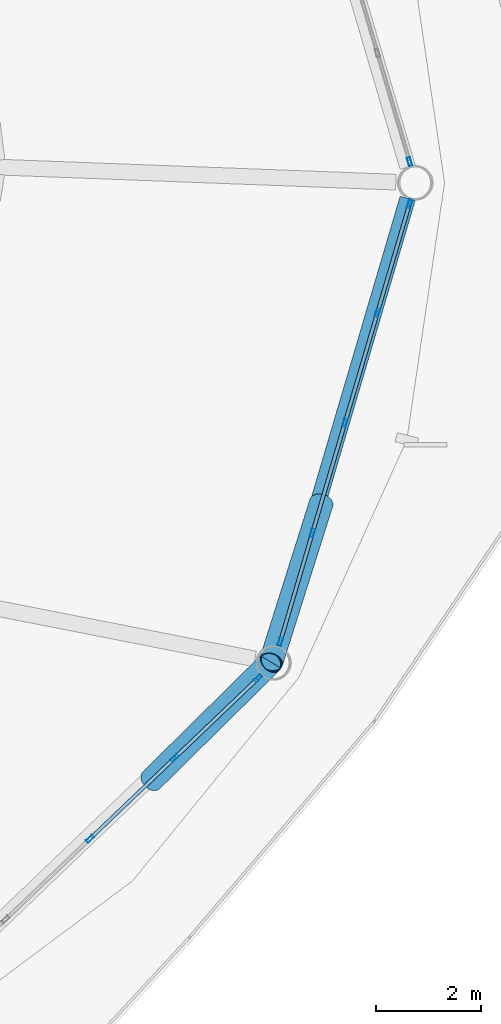
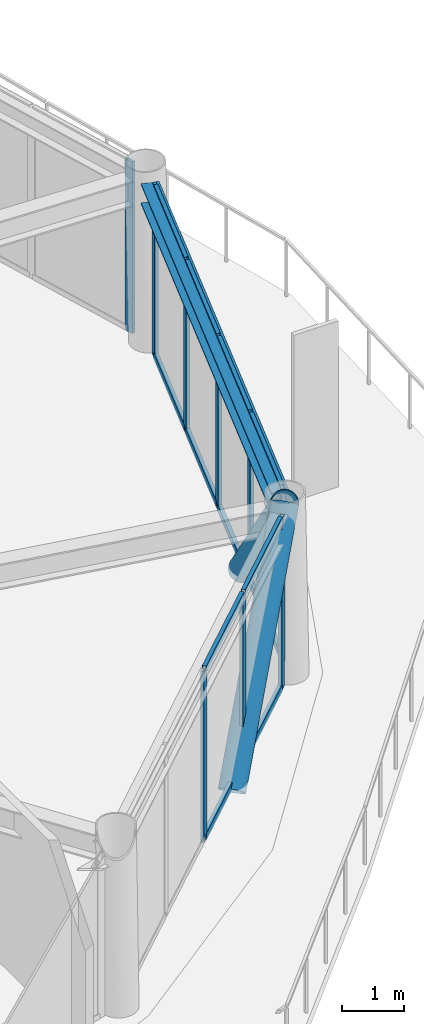
# One storey, part 16 of 28: 23 members, 1 beam, 3 elements without a shape of their own.
"""IFC4 building model written with IfcOpenShell, lengths in metres."""

import ifcopenshell
import ifcopenshell.guid

model = None  # the IFC model being written
_history = None  # IfcOwnerHistory: only IFC2X3 demands one
_inside = {}  # id of a spatial element -> (the spatial element, [elements in it])
_under = {}  # id of a project, library or spatial element -> (it, [spatial elements below it])
_declared = {}  # id of a project -> (the project, [libraries it declares])
_typed = {}  # id of a type object -> (the type object, [elements of that type])
_made_of = {}  # id of a material, layer set ... -> (it, [elements and type objects made of it])


def new_model(schema):
    """Start an empty IFC model of exactly this schema.

    Asked for "IFC4X3", IfcOpenShell would pick the latest addendum, in which some entities
    have other attributes; the version numbers below select the first issue.
    IFC2X3 requires an IfcOwnerHistory on every rooted entity: one is made here for all.
    """
    global model, _history
    if schema == "IFC4X3":
        model = ifcopenshell.file(schema_version=(4, 3, 0, 0))
    else:
        model = ifcopenshell.file(schema=schema)
    _inside.clear()
    _under.clear()
    _declared.clear()
    _typed.clear()
    _made_of.clear()
    _history = None
    if model.schema == "IFC2X3":
        org = make("IfcOrganization", Name="unknown")
        user = make(
            "IfcPersonAndOrganization",
            ThePerson=make("IfcPerson", FamilyName="unknown"),
            TheOrganization=org,
        )
        app = make(
            "IfcApplication",
            ApplicationDeveloper=org,
            Version="unknown",
            ApplicationFullName="unknown",
            ApplicationIdentifier="unknown",
        )
        _history = make(
            "IfcOwnerHistory",
            OwningUser=user,
            OwningApplication=app,
            ChangeAction="ADDED",
            CreationDate=0,
        )
    return model


def make(cls, **values):
    """One entity of the class cls with the attributes given. An attribute that is None is left unset."""
    return model.create_entity(
        cls, **{name: value for name, value in values.items() if value is not None}
    )


def rooted(cls, **values):
    """An entity with a GlobalId (a new one), such as an element, a storey or a relation."""
    return make(cls, GlobalId=ifcopenshell.guid.new(), OwnerHistory=_history, **values)


def si_unit(unit_type, name, prefix=None):
    """IfcSIUnit, for example si_unit("LENGTHUNIT", "METRE", prefix="MILLI")."""
    return make("IfcSIUnit", UnitType=unit_type, Prefix=prefix, Name=name)


def assignment(units):
    """IfcUnitAssignment: the units of a project."""
    return None if units is None else make("IfcUnitAssignment", Units=units)


def point(xyz):
    """IfcCartesianPoint."""
    return None if xyz is None else make("IfcCartesianPoint", Coordinates=xyz)


def direction(xyz):
    """IfcDirection."""
    return None if xyz is None else make("IfcDirection", DirectionRatios=xyz)


def frame(location, z_axis=None, x_axis=None):
    """IfcAxis2Placement3D, a coordinate frame: its origin and axes. An axis left out is left unset."""
    return make(
        "IfcAxis2Placement3D",
        Location=point(location),
        Axis=direction(z_axis),
        RefDirection=direction(x_axis),
    )


def frame_2d(location, x_axis=None):
    """IfcAxis2Placement2D, a coordinate frame in the plane: its origin and x axis."""
    return make(
        "IfcAxis2Placement2D", Location=point(location), RefDirection=direction(x_axis)
    )


def origin():
    """The frame at (0, 0, 0) with its axes left unset."""
    return frame((0.0, 0.0, 0.0))


def origin_2d():
    """The frame at (0, 0) in the plane with its x axis left unset."""
    return frame_2d((0.0, 0.0))


def place(relative_to, where):
    """IfcLocalPlacement: puts the frame where relative to a parent placement (None: the world)."""
    return make(
        "IfcLocalPlacement", PlacementRelTo=relative_to, RelativePlacement=where
    )


def context(
    kind, dimensions, precision=None, world=None, true_north=None, identifier=None
):
    """IfcGeometricRepresentationContext, for example the 3D "Model" context."""
    return make(
        "IfcGeometricRepresentationContext",
        ContextIdentifier=identifier,
        ContextType=kind,
        CoordinateSpaceDimension=dimensions,
        Precision=precision,
        WorldCoordinateSystem=world,
        TrueNorth=true_north,
    )


def subcontext(parent, identifier, kind, view, scale=None):
    """IfcGeometricRepresentationSubContext, for example "Body" below "Model"."""
    return make(
        "IfcGeometricRepresentationSubContext",
        ContextIdentifier=identifier,
        ContextType=kind,
        ParentContext=parent,
        TargetScale=scale,
        TargetView=view,
    )


def project(units=None, contexts=None):
    """IfcProject with its units and contexts."""
    return rooted(
        "IfcProject",
        Name="project",
        RepresentationContexts=contexts,
        UnitsInContext=assignment(units),
    )


def spatial(cls, under=None, at=None, **own):
    """A site, building, storey or space (cls), placed at a placement, below another one or the project."""
    s = rooted(cls, ObjectPlacement=at, **own)
    if under is not None:
        _under.setdefault(under.id(), (under, []))[1].append(s)
    return s


def profile(cls, at=None, kind="AREA", **sizes):
    """A parametric profile (cls). Its sizes go by their IFC names, for example OverallWidth=200.0."""
    return make(cls, ProfileType=kind, Position=at, **sizes)


def hollow_rectangle(**sizes):
    """IfcRectangleHollowProfileDef."""
    return profile("IfcRectangleHollowProfileDef", **sizes)


def hollow_circle(**sizes):
    """IfcCircleHollowProfileDef."""
    return profile("IfcCircleHollowProfileDef", **sizes)


def i_section(**sizes):
    """IfcIShapeProfileDef."""
    return profile("IfcIShapeProfileDef", **sizes)


def extrude(swept, where, along, depth):
    """IfcExtrudedAreaSolid: the profile swept, set in the frame where, extruded along a direction by depth."""
    return make(
        "IfcExtrudedAreaSolid",
        SweptArea=swept,
        Position=where,
        ExtrudedDirection=direction(along),
        Depth=depth,
    )


def shape(context_of_items, identifier, shape_type, items):
    """IfcShapeRepresentation: the items that make up one representation, for example the "Body"."""
    return make(
        "IfcShapeRepresentation",
        ContextOfItems=context_of_items,
        RepresentationIdentifier=identifier,
        RepresentationType=shape_type,
        Items=items,
    )


def material(Name=None, Category=None):
    """IfcMaterial."""
    return make("IfcMaterial", Name=Name, Category=Category)


def layer(
    of_material, thickness, ventilated=None, Name=None, Category=None, Priority=None
):
    """IfcMaterialLayer: one layer of a wall or slab, of a material (None: an air gap)."""
    return make(
        "IfcMaterialLayer",
        Material=of_material,
        LayerThickness=thickness,
        IsVentilated=ventilated,
        Name=Name,
        Category=Category,
        Priority=Priority,
    )


def layer_set(layers, Name=None):
    """IfcMaterialLayerSet."""
    return make("IfcMaterialLayerSet", MaterialLayers=layers, LayerSetName=Name)


def material_profile(
    of_material, cross_section, Name=None, Category=None, Priority=None
):
    """IfcMaterialProfile: a cross section and its material."""
    return make(
        "IfcMaterialProfile",
        Name=Name,
        Material=of_material,
        Profile=cross_section,
        Priority=Priority,
        Category=Category,
    )


def profile_set(profiles, Name=None, composite=None):
    """IfcMaterialProfileSet."""
    return make(
        "IfcMaterialProfileSet",
        Name=Name,
        MaterialProfiles=profiles,
        CompositeProfile=composite,
    )


def made_of(thing, what):
    """Note that an element or type object is made of a material, layer set ...; save() writes the relation."""
    if what is not None:
        _made_of.setdefault(what.id(), (what, []))[1].append(thing)
    return thing


def type_object(cls, material=None, **own):
    """A type object (cls), such as IfcWallType, which elements share."""
    return made_of(rooted(cls, **own), material)


def element(
    cls,
    number,
    at=None,
    inside=None,
    cuts=None,
    type_object=None,
    material=None,
    context=None,
    identifier="Body",
    shape_type=None,
    held_by="IfcProductDefinitionShape",
    body=None,
    shapes=None,
    **own,
):
    """One element of the class cls, such as IfcWall. Its Tag is "e" and its number.

    at: its placement. inside: the storey or other place that contains it. cuts: it is an
    opening in that element (IfcRelVoidsElement). A single representation is given by context,
    identifier, shape_type and body (its items); several are given by shapes. held_by: the class
    of the entity that holds the representations. save() writes the other relations.
    """
    e = rooted(cls, Tag="e%d" % number, ObjectPlacement=at, **own)
    if body is not None:
        shapes = [shape(context, identifier, shape_type, body)]
    if shapes is not None:
        e.Representation = make(held_by, Representations=shapes)
    if inside is not None:
        _inside.setdefault(inside.id(), (inside, []))[1].append(e)
    if cuts is not None:
        rooted(
            "IfcRelVoidsElement", RelatingBuildingElement=cuts, RelatedOpeningElement=e
        )
    if type_object is not None:
        _typed.setdefault(type_object.id(), (type_object, []))[1].append(e)
    return made_of(e, material)


def aggregate(whole, parts):
    """IfcRelAggregates: a whole, such as a stair, and the parts it consists of."""
    return rooted("IfcRelAggregates", RelatingObject=whole, RelatedObjects=parts)


def save(model, path):
    """Write the relations noted so far, then the file.

    IfcRelAggregates (storeys below a building ...), IfcRelContainedInSpatialStructure (elements
    in a storey), IfcRelDefinesByType, IfcRelAssociatesMaterial and IfcRelDeclares: one each for
    every whole, place, type object, material and project.
    """
    for whole, parts in _under.values():
        aggregate(whole, parts)
    for where, things in _inside.values():
        rooted(
            "IfcRelContainedInSpatialStructure",
            RelatedElements=things,
            RelatingStructure=where,
        )
    for kind, things in _typed.values():
        rooted("IfcRelDefinesByType", RelatedObjects=things, RelatingType=kind)
    for what, things in _made_of.values():
        rooted("IfcRelAssociatesMaterial", RelatedObjects=things, RelatingMaterial=what)
    for by, libraries in _declared.values():
        rooted("IfcRelDeclares", RelatingContext=by, RelatedDefinitions=libraries)
    model.write(path)


model = new_model("IFC4")

# Units and contexts
model_context = context("Model", 3, precision=1e-05, world=origin(), true_north=direction((0.0, 1.0)))
body_context = subcontext(model_context, "Body", "Model", "MODEL_VIEW")
ifc_project = project(units=[si_unit("LENGTHUNIT", "METRE"), si_unit("AREAUNIT", "SQUARE_METRE"), si_unit("VOLUMEUNIT", "CUBIC_METRE"), si_unit("PLANEANGLEUNIT", "RADIAN"), si_unit("MASSUNIT", "GRAM", prefix="KILO")], contexts=[model_context])

# Site, building, storey
site_placement = place(None, origin())
site = spatial("IfcSite", under=ifc_project, at=site_placement, CompositionType="ELEMENT")
building_placement = place(site_placement, origin())
building = spatial("IfcBuilding", under=site, at=building_placement, Name="Varnakorn Sky Granary", CompositionType="ELEMENT")
storey_placement = place(building_placement, frame((0.0, 0.0, 200.39990234375)))
storey = spatial("IfcBuildingStorey", under=building, at=storey_placement, Name="L50", CompositionType="ELEMENT", Elevation=200.39990234375)

# Beam
ifc_material_1 = material(Name="Steel S355JR", Category="steel")
ifc_material_profile_1 = material_profile(ifc_material_1, i_section(OverallWidth=0.300048828125, OverallDepth=0.39990234375, WebThickness=0.013427734375, FlangeThickness=0.02392578125, at=origin_2d()), Name="HE 400 B")
ifc_profile_set_1 = profile_set([ifc_material_profile_1], Name="Steel S355JR")
beam_type = type_object("IfcBeamType", Name="BM-SPD-Z4", PredefinedType="SPANDREL", material=ifc_profile_set_1)
beam_placement = place(storey_placement, frame((21.54345703125, -8.869873046875, 3.16015625), z_axis=(0.282725631314, 0.959200822246, 0.0), x_axis=(-0.959200822246, 0.282725631314, 0.0)))
element("IfcBeam", 1, at=beam_placement, inside=storey, type_object=beam_type, Name="Perimeter Spandrel Ring Beam RB12 L50", PredefinedType="SPANDREL", context=body_context, shape_type="SweptSolid", body=[
    extrude(i_section(OverallWidth=0.300048828125, OverallDepth=0.39990234375, WebThickness=0.013427734375, FlangeThickness=0.02392578125, at=origin_2d()), origin(), (0.0, 0.0, 1.0), 8.932373046875),
])

# Curtain wall, member
ifc_material_2 = material(Name="Anodised Bronze Aluminium Alloy 6063-T6", Category="aluminium")
ifc_layer = layer(ifc_material_2, 0.169921875, Name="Anodised Bronze Aluminium Alloy 6063-T6")
ifc_layer_set = layer_set([ifc_layer], Name="Anodised Bronze Aluminium Alloy 6063-T6")
curtain_wall_type = type_object("IfcCurtainWallType", Name="CW-LAB-1", PredefinedType="USERDEFINED", material=ifc_layer_set)
curtain_wall_1_placement = place(storey_placement, origin())
curtain_wall_1 = element("IfcCurtainWall", 2, at=curtain_wall_1_placement, inside=storey, type_object=curtain_wall_type, Name="Unitised Curtain Wall CW5 CW-L50-B01", ObjectType="CURTAIN WALL", PredefinedType="USERDEFINED")
ifc_material_profile_2 = material_profile(ifc_material_2, hollow_rectangle(XDim=0.06494140625, YDim=0.159912109375, WallThickness=0.00341796875, at=origin_2d()), Name="ALU MULL 65x160")
ifc_profile_set_2 = profile_set([ifc_material_profile_2], Name="Anodised Bronze Aluminium Alloy 6063-T6")
member_type_1 = type_object("IfcMemberType", Name="CW-LAB-1-MULL", PredefinedType="MULLION", material=ifc_profile_set_2)
member_1_placement = place(storey_placement, frame((24.1064453125, 0.4052734375, 0.0), z_axis=(0.0, 0.0, 1.0), x_axis=(0.959077331245, 0.283144261272, 0.0)))
member_1 = element("IfcMember", 3, at=member_1_placement, type_object=member_type_1, Name="CW5 mullion 5", PredefinedType="MULLION", context=body_context, shape_type="SweptSolid", body=[
    extrude(hollow_rectangle(XDim=0.06494140625, YDim=0.159912109375, WallThickness=0.00341796875, at=origin_2d()), origin(), (0.0, 0.0, 1.0), 3.360107421875),
])
aggregate(curtain_wall_1, [member_1])

# Curtain wall, members
curtain_wall_2_placement = place(storey_placement, origin())
curtain_wall_2 = element("IfcCurtainWall", 4, at=curtain_wall_2_placement, inside=storey, type_object=curtain_wall_type, Name="Unitised Curtain Wall CW5 CW-L50-B11", ObjectType="CURTAIN WALL", PredefinedType="USERDEFINED")
member_2_placement = place(storey_placement, frame((21.207763671875, -9.48095703125, 0.0), z_axis=(0.0, 0.0, 1.0), x_axis=(0.690696852284, -0.723144424195, 0.0)))
member_2 = element("IfcMember", 5, at=member_2_placement, type_object=member_type_1, Name="CW5 mullion 1", PredefinedType="MULLION", context=body_context, shape_type="SweptSolid", body=[
    extrude(hollow_rectangle(XDim=0.06494140625, YDim=0.159912109375, WallThickness=0.00341796875, at=origin_2d()), origin(), (0.0, 0.0, 1.0), 3.360107421875),
])
member_3_placement = place(storey_placement, frame((19.611572265625, -11.00537109375, 0.0), z_axis=(0.0, 0.0, 1.0), x_axis=(0.690696852284, -0.723144424195, 0.0)))
member_3 = element("IfcMember", 6, at=member_3_placement, type_object=member_type_1, Name="CW5 mullion 2", PredefinedType="MULLION", context=body_context, shape_type="SweptSolid", body=[
    extrude(hollow_rectangle(XDim=0.06494140625, YDim=0.159912109375, WallThickness=0.00341796875, at=origin_2d()), origin(), (0.0, 0.0, 1.0), 3.360107421875),
])
member_4_placement = place(storey_placement, frame((17.991943359375, -12.552490234375, 0.0), z_axis=(0.0, 0.0, 1.0), x_axis=(0.690696852284, -0.723144424195, 0.0)))
member_4 = element("IfcMember", 7, at=member_4_placement, type_object=member_type_1, Name="CW5 mullion 3", PredefinedType="MULLION", context=body_context, shape_type="SweptSolid", body=[
    extrude(hollow_rectangle(XDim=0.06494140625, YDim=0.159912109375, WallThickness=0.00341796875, at=origin_2d()), origin(), (0.0, 0.0, 1.0), 3.360107421875),
])

curtain_wall_3_placement = place(storey_placement, origin())
curtain_wall_3 = element("IfcCurtainWall", 8, at=curtain_wall_3_placement, inside=storey, type_object=curtain_wall_type, Name="Unitised Curtain Wall CW5 CW-L50-B12", ObjectType="CURTAIN WALL", PredefinedType="USERDEFINED")
member_5_placement = place(storey_placement, frame((24.1064453125, -0.4052734375, 0.0), z_axis=(0.0, 0.0, 1.0), x_axis=(0.959077331245, -0.283144261272, 0.0)))
member_5 = element("IfcMember", 9, at=member_5_placement, type_object=member_type_1, Name="CW5 mullion 1", PredefinedType="MULLION", context=body_context, shape_type="SweptSolid", body=[
    extrude(hollow_rectangle(XDim=0.06494140625, YDim=0.159912109375, WallThickness=0.00341796875, at=origin_2d()), origin(), (0.0, 0.0, 1.0), 3.360107421875),
])
member_6_placement = place(storey_placement, frame((23.49267578125, -2.484130859375, 0.0), z_axis=(0.0, 0.0, 1.0), x_axis=(0.959077331245, -0.283144261272, 0.0)))
member_6 = element("IfcMember", 10, at=member_6_placement, type_object=member_type_1, Name="CW5 mullion 2", PredefinedType="MULLION", context=body_context, shape_type="SweptSolid", body=[
    extrude(hollow_rectangle(XDim=0.06494140625, YDim=0.159912109375, WallThickness=0.00341796875, at=origin_2d()), origin(), (0.0, 0.0, 1.0), 3.360107421875),
])
member_7_placement = place(storey_placement, frame((22.86962890625, -4.594482421875, 0.0), z_axis=(0.0, 0.0, 1.0), x_axis=(0.959077331245, -0.283144261272, 0.0)))
member_7 = element("IfcMember", 11, at=member_7_placement, type_object=member_type_1, Name="CW5 mullion 3", PredefinedType="MULLION", context=body_context, shape_type="SweptSolid", body=[
    extrude(hollow_rectangle(XDim=0.06494140625, YDim=0.159912109375, WallThickness=0.00341796875, at=origin_2d()), origin(), (0.0, 0.0, 1.0), 3.360107421875),
])
member_8_placement = place(storey_placement, frame((22.24658203125, -6.704833984375, 0.0), z_axis=(0.0, 0.0, 1.0), x_axis=(0.959077331245, -0.283144261272, 0.0)))
member_8 = element("IfcMember", 12, at=member_8_placement, type_object=member_type_1, Name="CW5 mullion 4", PredefinedType="MULLION", context=body_context, shape_type="SweptSolid", body=[
    extrude(hollow_rectangle(XDim=0.06494140625, YDim=0.159912109375, WallThickness=0.00341796875, at=origin_2d()), origin(), (0.0, 0.0, 1.0), 3.360107421875),
])
member_9_placement = place(storey_placement, frame((21.6328125, -8.783935546875, 0.0), z_axis=(0.0, 0.0, 1.0), x_axis=(0.959077331245, -0.283144261272, 0.0)))
member_9 = element("IfcMember", 13, at=member_9_placement, type_object=member_type_1, Name="CW5 mullion 5", PredefinedType="MULLION", context=body_context, shape_type="SweptSolid", body=[
    extrude(hollow_rectangle(XDim=0.06494140625, YDim=0.159912109375, WallThickness=0.00341796875, at=origin_2d()), origin(), (0.0, 0.0, 1.0), 3.360107421875),
])

# Member
ifc_material_profile_3 = material_profile(ifc_material_2, hollow_rectangle(XDim=0.070068359375, YDim=0.139892578125, WallThickness=0.00341796875, at=origin_2d()), Name="ALU TRAN 70x140")
ifc_profile_set_3 = profile_set([ifc_material_profile_3], Name="Anodised Bronze Aluminium Alloy 6063-T6")
member_type_2 = type_object("IfcMemberType", Name="CW-LAB-1-TRAN", PredefinedType="USERDEFINED", material=ifc_profile_set_3)
member_10_placement = place(storey_placement, frame((21.18408203125, -9.503173828125, 0.03515625), z_axis=(-0.72310452813, -0.690738620173, 0.0), x_axis=(0.690738620173, -0.72310452813, 0.0)))
member_10 = element("IfcMember", 14, at=member_10_placement, type_object=member_type_2, Name="CW5 transom 1.1", ObjectType="TRANSOM", PredefinedType="USERDEFINED", context=body_context, shape_type="SweptSolid", body=[
    extrude(hollow_rectangle(XDim=0.070068359375, YDim=0.139892578125, WallThickness=0.00341796875, at=origin_2d()), origin(), (0.0, 0.0, 1.0), 2.142333984375),
])

member_11_placement = place(storey_placement, frame((21.18408203125, -9.503173828125, 3.3251953125), z_axis=(-0.72310452813, -0.690738620173, 0.0), x_axis=(0.690738620173, -0.72310452813, 0.0)))
member_11 = element("IfcMember", 15, at=member_11_placement, type_object=member_type_2, Name="CW5 transom 1.2", ObjectType="TRANSOM", PredefinedType="USERDEFINED", context=body_context, shape_type="SweptSolid", body=[
    extrude(hollow_rectangle(XDim=0.070068359375, YDim=0.139892578125, WallThickness=0.00341796875, at=origin_2d()), origin(), (0.0, 0.0, 1.0), 2.142333984375),
])

member_12_placement = place(storey_placement, frame((19.588134765625, -11.02783203125, 0.03515625), z_axis=(-0.72314143762, -0.690699979149, 0.0), x_axis=(0.690699979149, -0.72314143762, 0.0)))
member_12 = element("IfcMember", 16, at=member_12_placement, type_object=member_type_2, Name="CW5 transom 2.1", ObjectType="TRANSOM", PredefinedType="USERDEFINED", context=body_context, shape_type="SweptSolid", body=[
    extrude(hollow_rectangle(XDim=0.070068359375, YDim=0.139892578125, WallThickness=0.00341796875, at=origin_2d()), origin(), (0.0, 0.0, 1.0), 2.1748046875),
])

member_13_placement = place(storey_placement, frame((19.588134765625, -11.02783203125, 3.3251953125), z_axis=(-0.72314143762, -0.690699979149, 0.0), x_axis=(0.690699979149, -0.72314143762, 0.0)))
member_13 = element("IfcMember", 17, at=member_13_placement, type_object=member_type_2, Name="CW5 transom 2.2", ObjectType="TRANSOM", PredefinedType="USERDEFINED", context=body_context, shape_type="SweptSolid", body=[
    extrude(hollow_rectangle(XDim=0.070068359375, YDim=0.139892578125, WallThickness=0.00341796875, at=origin_2d()), origin(), (0.0, 0.0, 1.0), 2.1748046875),
])

aggregate(curtain_wall_2, [member_2, member_3, member_4, member_10, member_11, member_12, member_13])

member_14_placement = place(storey_placement, frame((24.09716796875, -0.436279296875, 0.03515625), z_axis=(-0.283159278241, -0.959072897723, 0.0), x_axis=(0.959072897723, -0.283159278241, 0.0)))
member_14 = element("IfcMember", 18, at=member_14_placement, type_object=member_type_2, Name="CW5 transom 1.1", ObjectType="TRANSOM", PredefinedType="USERDEFINED", context=body_context, shape_type="SweptSolid", body=[
    extrude(hollow_rectangle(XDim=0.070068359375, YDim=0.139892578125, WallThickness=0.00341796875, at=origin_2d()), origin(), (0.0, 0.0, 1.0), 2.10302734375),
])

member_15_placement = place(storey_placement, frame((24.09716796875, -0.436279296875, 3.3251953125), z_axis=(-0.283159278241, -0.959072897723, 0.0), x_axis=(0.959072897723, -0.283159278241, 0.0)))
member_15 = element("IfcMember", 19, at=member_15_placement, type_object=member_type_2, Name="CW5 transom 1.2", ObjectType="TRANSOM", PredefinedType="USERDEFINED", context=body_context, shape_type="SweptSolid", body=[
    extrude(hollow_rectangle(XDim=0.070068359375, YDim=0.139892578125, WallThickness=0.00341796875, at=origin_2d()), origin(), (0.0, 0.0, 1.0), 2.10302734375),
])

member_16_placement = place(storey_placement, frame((23.4833984375, -2.515380859375, 0.03515625), z_axis=(-0.283107130654, -0.959088292376, 0.0), x_axis=(0.959088292376, -0.283107130654, 0.0)))
member_16 = element("IfcMember", 20, at=member_16_placement, type_object=member_type_2, Name="CW5 transom 2.1", ObjectType="TRANSOM", PredefinedType="USERDEFINED", context=body_context, shape_type="SweptSolid", body=[
    extrude(hollow_rectangle(XDim=0.070068359375, YDim=0.139892578125, WallThickness=0.00341796875, at=origin_2d()), origin(), (0.0, 0.0, 1.0), 2.13525390625),
])

member_17_placement = place(storey_placement, frame((23.4833984375, -2.515380859375, 3.3251953125), z_axis=(-0.283107130654, -0.959088292376, 0.0), x_axis=(0.959088292376, -0.283107130654, 0.0)))
member_17 = element("IfcMember", 21, at=member_17_placement, type_object=member_type_2, Name="CW5 transom 2.2", ObjectType="TRANSOM", PredefinedType="USERDEFINED", context=body_context, shape_type="SweptSolid", body=[
    extrude(hollow_rectangle(XDim=0.070068359375, YDim=0.139892578125, WallThickness=0.00341796875, at=origin_2d()), origin(), (0.0, 0.0, 1.0), 2.13525390625),
])

member_18_placement = place(storey_placement, frame((22.8603515625, -4.625732421875, 0.03515625), z_axis=(-0.283107130654, -0.959088292376, 0.0), x_axis=(0.959088292376, -0.283107130654, 0.0)))
member_18 = element("IfcMember", 22, at=member_18_placement, type_object=member_type_2, Name="CW5 transom 3.1", ObjectType="TRANSOM", PredefinedType="USERDEFINED", context=body_context, shape_type="SweptSolid", body=[
    extrude(hollow_rectangle(XDim=0.070068359375, YDim=0.139892578125, WallThickness=0.00341796875, at=origin_2d()), origin(), (0.0, 0.0, 1.0), 2.13525390625),
])

member_19_placement = place(storey_placement, frame((22.8603515625, -4.625732421875, 3.3251953125), z_axis=(-0.283107130654, -0.959088292376, 0.0), x_axis=(0.959088292376, -0.283107130654, 0.0)))
member_19 = element("IfcMember", 23, at=member_19_placement, type_object=member_type_2, Name="CW5 transom 3.2", ObjectType="TRANSOM", PredefinedType="USERDEFINED", context=body_context, shape_type="SweptSolid", body=[
    extrude(hollow_rectangle(XDim=0.070068359375, YDim=0.139892578125, WallThickness=0.00341796875, at=origin_2d()), origin(), (0.0, 0.0, 1.0), 2.13525390625),
])

member_20_placement = place(storey_placement, frame((22.2373046875, -6.73583984375, 0.03515625), z_axis=(-0.283052485029, -0.959104421176, 0.0), x_axis=(0.959104421176, -0.283052485029, 0.0)))
member_20 = element("IfcMember", 24, at=member_20_placement, type_object=member_type_2, Name="CW5 transom 4.1", ObjectType="TRANSOM", PredefinedType="USERDEFINED", context=body_context, shape_type="SweptSolid", body=[
    extrude(hollow_rectangle(XDim=0.070068359375, YDim=0.139892578125, WallThickness=0.00341796875, at=origin_2d()), origin(), (0.0, 0.0, 1.0), 2.102783203125),
])

member_21_placement = place(storey_placement, frame((22.2373046875, -6.73583984375, 3.3251953125), z_axis=(-0.283052485029, -0.959104421176, 0.0), x_axis=(0.959104421176, -0.283052485029, 0.0)))
member_21 = element("IfcMember", 25, at=member_21_placement, type_object=member_type_2, Name="CW5 transom 4.2", ObjectType="TRANSOM", PredefinedType="USERDEFINED", context=body_context, shape_type="SweptSolid", body=[
    extrude(hollow_rectangle(XDim=0.070068359375, YDim=0.139892578125, WallThickness=0.00341796875, at=origin_2d()), origin(), (0.0, 0.0, 1.0), 2.102783203125),
])

aggregate(curtain_wall_3, [member_5, member_6, member_7, member_8, member_9, member_14, member_15, member_16, member_17, member_18, member_19, member_20, member_21])

# Members
ifc_material_3 = material(Name="Steel S460M", Category="steel")
ifc_material_profile_4 = material_profile(ifc_material_3, hollow_circle(Radius=0.228515625, WallThickness=0.01611328125, at=origin_2d()), Name="CHS 457x16")
ifc_profile_set_4 = profile_set([ifc_material_profile_4], Name="Steel S460M")
member_type_3 = type_object("IfcMemberType", Name="MB-DIAG-T3", PredefinedType="BRACE", material=ifc_profile_set_4)
member_22_placement = place(storey_placement, frame((19.16552734375, -11.431396484375, -0.1298828125), z_axis=(0.482278249124, 0.476053644522, 0.735377874265), x_axis=(-0.702499127878, 0.711684603831, 0.0)))
element("IfcMember", 26, at=member_22_placement, inside=storey, type_object=member_type_3, Name="Perimeter CHS Diagrid Brace DG11 L50", PredefinedType="BRACE", context=body_context, shape_type="SweptSolid", body=[
    extrude(hollow_circle(Radius=0.228515625, WallThickness=0.01611328125, at=origin_2d()), origin(), (0.0, 0.0, 1.0), 4.745849609375),
])
member_23_placement = place(storey_placement, frame((22.41748046875, -6.1259765625, -0.1298828125), z_axis=(-0.203560052019, -0.643807039046, 0.737614941346), x_axis=(0.953475194919, -0.301471479038, 0.0)))
element("IfcMember", 27, at=member_23_placement, inside=storey, type_object=member_type_3, Name="Perimeter CHS Diagrid Brace DG12 L50", PredefinedType="BRACE", context=body_context, shape_type="SweptSolid", body=[
    extrude(hollow_circle(Radius=0.228515625, WallThickness=0.01611328125, at=origin_2d()), origin(), (0.0, 0.0, 1.0), 4.7314453125),
])

save(model, "model.ifc")
